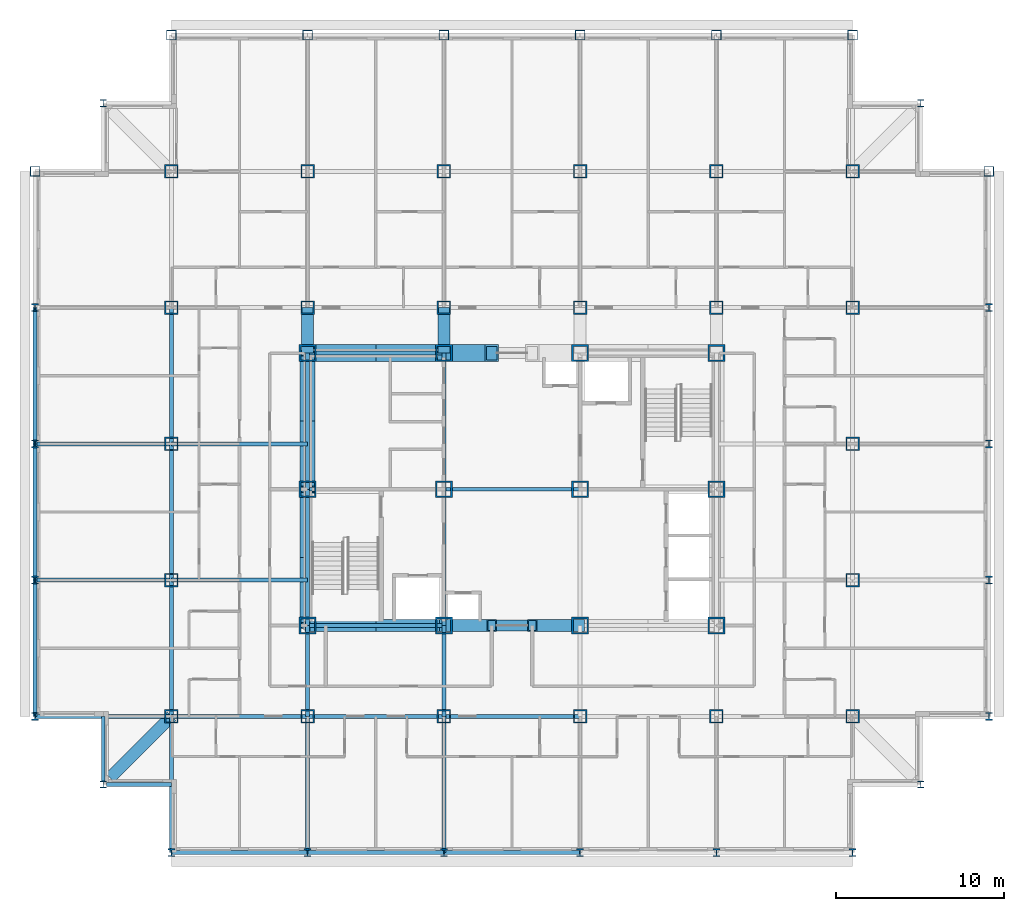
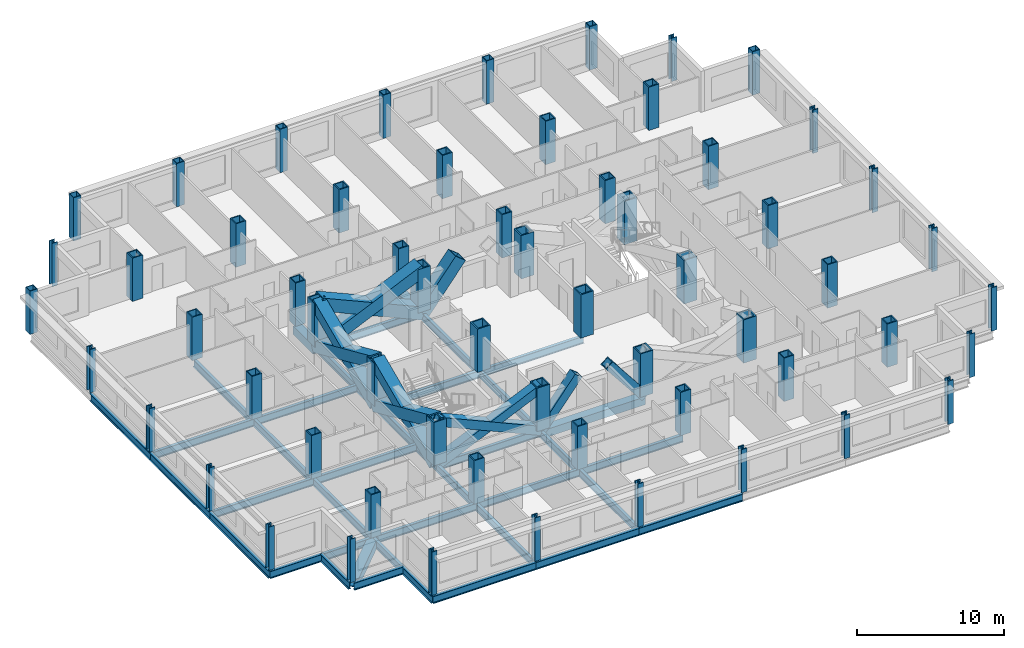
# One storey, part 1 of 12: 60 columns, 36 beams, 11 members.
"""IFC4 building model written with IfcOpenShell, lengths in metres."""

from ifc_helpers import new_model, si_unit, direction, frame, origin, origin_2d, place, context, subcontext, project, spatial, hollow_rectangle, i_section, extrude, material, material_profile, profile_set, type_object, element, save


model = new_model("IFC4")

# Units and contexts
model_context = context("Model", 3, precision=1e-05, world=origin(), true_north=direction((0.0, 1.0)))
body_context = subcontext(model_context, "Body", "Model", "MODEL_VIEW")
ifc_project = project(units=[si_unit("LENGTHUNIT", "METRE"), si_unit("AREAUNIT", "SQUARE_METRE"), si_unit("VOLUMEUNIT", "CUBIC_METRE"), si_unit("PLANEANGLEUNIT", "RADIAN"), si_unit("MASSUNIT", "GRAM", prefix="KILO")], contexts=[model_context])

# Site, building, storey
site_placement = place(None, origin())
site = spatial("IfcSite", under=ifc_project, at=site_placement, CompositionType="ELEMENT")
building_placement = place(site_placement, origin())
building = spatial("IfcBuilding", under=site, at=building_placement, Name="Kopane Lantern Tower", CompositionType="ELEMENT")
storey_placement = place(building_placement, frame((0.0, 0.0, 174.0)))
storey = spatial("IfcBuildingStorey", under=building, at=storey_placement, Name="L44", CompositionType="ELEMENT", Elevation=174.0)

# Columns
ifc_material_1 = material(Name="Steel S355JR", Category="steel")
ifc_material_profile_1 = material_profile(ifc_material_1, hollow_rectangle(XDim=1.0, YDim=1.0, WallThickness=0.10009765625, at=origin_2d()), Name="BOX 1000x1000x100")
ifc_profile_set_1 = profile_set([ifc_material_profile_1], Name="Steel S355JR")
column_type_1 = type_object("IfcColumnType", Name="COLUMN BOX 1000x1000x100", PredefinedType="COLUMN", material=ifc_profile_set_1)
for number, where, z_axis, x_axis, name in (
    (1, (16.199951171875, 24.300048828125, 0.0), (0.0, 0.0, 1.0), (1.0, 0.0, 0.0), "Column 4/E L44"),
    (2, (16.199951171875, 32.39990234375, 0.0), (0.0, 0.0, 1.0), (1.0, 0.0, 0.0), "Column 4/F L44"),
    (3, (16.199951171875, 40.5, 0.0), (0.0, 0.0, 1.0), (1.0, 0.0, 0.0), "Column 4/G L44"),
    (4, (24.300048828125, 24.300048828125, 0.0), (0.0, 0.0, 1.0), (1.0, 0.0, 0.0), "Column 5/E L44"),
    (5, (24.300048828125, 32.39990234375, 0.0), (0.0, 0.0, 1.0), (1.0, 0.0, 0.0), "Column 5/F L44"),
    (6, (24.300048828125, 40.5, 0.0), (0.0, 0.0, 1.0), (1.0, 0.0, 0.0), "Column 5/G L44"),
    (7, (32.39990234375, 24.300048828125, 0.0), (0.0, 0.0, 1.0), (1.0, 0.0, 0.0), "Column 6/E L44"),
    (8, (32.39990234375, 32.39990234375, 0.0), (0.0, 0.0, 1.0), (1.0, 0.0, 0.0), "Column 6/F L44"),
    (9, (32.39990234375, 40.5, 0.0), (0.0, 0.0, 1.0), (1.0, 0.0, 0.0), "Column 6/G L44"),
    (10, (40.5, 24.300048828125, 0.0), (0.0, 0.0, 1.0), (1.0, 0.0, 0.0), "Column 7/E L44"),
    (11, (40.5, 32.39990234375, 0.0), (0.0, 0.0, 1.0), (1.0, 0.0, 0.0), "Column 7/F L44"),
    (12, (40.5, 40.5, 0.0), (0.0, 0.0, 1.0), (1.0, 0.0, 0.0), "Column 7/G L44"),
):
    element("IfcColumn", number, at=place(storey_placement, frame(where, z_axis=z_axis, x_axis=x_axis)), inside=storey, type_object=column_type_1, Name=name, PredefinedType="COLUMN", context=body_context, shape_type="SweptSolid", body=[
        extrude(hollow_rectangle(XDim=1.0, YDim=1.0, WallThickness=0.10009765625, at=origin_2d()), origin(), (0.0, 0.0, 1.0), 3.60009765625),
    ])
ifc_material_2 = material(Name="Steel S355JR", Category="steel")
ifc_material_profile_2 = material_profile(ifc_material_2, hollow_rectangle(XDim=0.60009765625, YDim=0.60009765625, WallThickness=0.050048828125, at=origin_2d()), Name="BOX 600x600x50")
ifc_profile_set_2 = profile_set([ifc_material_profile_2], Name="Steel S355JR")
column_type_2 = type_object("IfcColumnType", Name="COLUMN BOX 600x600x50", PredefinedType="COLUMN", material=ifc_profile_set_2)
for number, where, z_axis, x_axis, name in (
    (13, (0.0, 51.300048828125, 0.0), (0.0, 0.0, 1.0), (1.0, 0.0, 0.0), "Column 2/Q6 L44"),
    (14, (8.10009765625, 59.39990234375, 0.0), (0.0, 0.0, 1.0), (1.0, 0.0, 0.0), "Column 3/Q7 L44"),
    (15, (16.199951171875, 59.39990234375, 0.0), (0.0, 0.0, 1.0), (1.0, 0.0, 0.0), "Column 4/Q7 L44"),
    (16, (24.300048828125, 59.39990234375, 0.0), (0.0, 0.0, 1.0), (1.0, 0.0, 0.0), "Column 5/Q7 L44"),
    (17, (32.39990234375, 59.39990234375, 0.0), (0.0, 0.0, 1.0), (1.0, 0.0, 0.0), "Column 6/Q7 L44"),
    (18, (40.5, 59.39990234375, 0.0), (0.0, 0.0, 1.0), (1.0, 0.0, 0.0), "Column 7/Q7 L44"),
    (19, (48.60009765625, 59.39990234375, 0.0), (0.0, 0.0, 1.0), (1.0, 0.0, 0.0), "Column 8/Q7 L44"),
    (20, (56.699951171875, 51.300048828125, 0.0), (0.0, 0.0, 1.0), (1.0, 0.0, 0.0), "Column 9/Q6 L44"),
):
    element("IfcColumn", number, at=place(storey_placement, frame(where, z_axis=z_axis, x_axis=x_axis)), inside=storey, type_object=column_type_2, Name=name, PredefinedType="COLUMN", context=body_context, shape_type="SweptSolid", body=[
        extrude(hollow_rectangle(XDim=0.60009765625, YDim=0.60009765625, WallThickness=0.050048828125, at=origin_2d()), origin(), (0.0, 0.0, 1.0), 3.60009765625),
    ])
ifc_material_3 = material(Name="Steel S355JR", Category="steel")
ifc_material_profile_3 = material_profile(ifc_material_3, hollow_rectangle(XDim=0.800048828125, YDim=0.800048828125, WallThickness=0.080078125, at=origin_2d()), Name="BOX 800x800x80")
ifc_profile_set_3 = profile_set([ifc_material_profile_3], Name="Steel S355JR")
column_type_3 = type_object("IfcColumnType", Name="COLUMN BOX 800x800x80", PredefinedType="COLUMN", material=ifc_profile_set_3)
for number, where, z_axis, x_axis, name in (
    (21, (8.10009765625, 18.89990234375, 0.0), (0.0, 0.0, 1.0), (1.0, 0.0, 0.0), "Column 3/Q2 L44"),
    (22, (8.10009765625, 27.0, 0.0), (0.0, 0.0, 1.0), (1.0, 0.0, 0.0), "Column 3/Q3 L44"),
    (23, (8.10009765625, 35.10009765625, 0.0), (0.0, 0.0, 1.0), (1.0, 0.0, 0.0), "Column 3/Q4 L44"),
    (24, (8.10009765625, 43.199951171875, 0.0), (0.0, 0.0, 1.0), (1.0, 0.0, 0.0), "Column 3/Q5 L44"),
    (25, (8.10009765625, 51.300048828125, 0.0), (0.0, 0.0, 1.0), (1.0, 0.0, 0.0), "Column 3/Q6 L44"),
    (26, (16.199951171875, 18.89990234375, 0.0), (0.0, 0.0, 1.0), (1.0, 0.0, 0.0), "Column 4/Q2 L44"),
    (27, (16.199951171875, 43.199951171875, 0.0), (0.0, 0.0, 1.0), (1.0, 0.0, 0.0), "Column 4/Q5 L44"),
    (28, (16.199951171875, 51.300048828125, 0.0), (0.0, 0.0, 1.0), (1.0, 0.0, 0.0), "Column 4/Q6 L44"),
    (29, (24.300048828125, 18.89990234375, 0.0), (0.0, 0.0, 1.0), (1.0, 0.0, 0.0), "Column 5/Q2 L44"),
    (30, (24.300048828125, 43.199951171875, 0.0), (0.0, 0.0, 1.0), (1.0, 0.0, 0.0), "Column 5/Q5 L44"),
    (31, (24.300048828125, 51.300048828125, 0.0), (0.0, 0.0, 1.0), (1.0, 0.0, 0.0), "Column 5/Q6 L44"),
    (32, (32.39990234375, 18.89990234375, 0.0), (0.0, 0.0, 1.0), (1.0, 0.0, 0.0), "Column 6/Q2 L44"),
    (33, (32.39990234375, 43.199951171875, 0.0), (0.0, 0.0, 1.0), (1.0, 0.0, 0.0), "Column 6/Q5 L44"),
    (34, (32.39990234375, 51.300048828125, 0.0), (0.0, 0.0, 1.0), (1.0, 0.0, 0.0), "Column 6/Q6 L44"),
    (35, (40.5, 18.89990234375, 0.0), (0.0, 0.0, 1.0), (1.0, 0.0, 0.0), "Column 7/Q2 L44"),
    (36, (40.5, 43.199951171875, 0.0), (0.0, 0.0, 1.0), (1.0, 0.0, 0.0), "Column 7/Q5 L44"),
    (37, (40.5, 51.300048828125, 0.0), (0.0, 0.0, 1.0), (1.0, 0.0, 0.0), "Column 7/Q6 L44"),
    (38, (48.60009765625, 18.89990234375, 0.0), (0.0, 0.0, 1.0), (1.0, 0.0, 0.0), "Column 8/Q2 L44"),
    (39, (48.60009765625, 27.0, 0.0), (0.0, 0.0, 1.0), (1.0, 0.0, 0.0), "Column 8/Q3 L44"),
    (40, (48.60009765625, 35.10009765625, 0.0), (0.0, 0.0, 1.0), (1.0, 0.0, 0.0), "Column 8/Q4 L44"),
    (41, (48.60009765625, 43.199951171875, 0.0), (0.0, 0.0, 1.0), (1.0, 0.0, 0.0), "Column 8/Q5 L44"),
    (42, (48.60009765625, 51.300048828125, 0.0), (0.0, 0.0, 1.0), (1.0, 0.0, 0.0), "Column 8/Q6 L44"),
):
    element("IfcColumn", number, at=place(storey_placement, frame(where, z_axis=z_axis, x_axis=x_axis)), inside=storey, type_object=column_type_3, Name=name, PredefinedType="COLUMN", context=body_context, shape_type="SweptSolid", body=[
        extrude(hollow_rectangle(XDim=0.800048828125, YDim=0.800048828125, WallThickness=0.080078125, at=origin_2d()), origin(), (0.0, 0.0, 1.0), 3.60009765625),
    ])
ifc_material_4 = material(Name="Steel S355JR", Category="steel")
ifc_material_profile_4 = material_profile(ifc_material_4, i_section(OverallWidth=0.406982421875, OverallDepth=0.4189453125, WebThickness=0.030517578125, FlangeThickness=0.04931640625, FilletRadius=0.01513671875, at=origin_2d()), Name="UC 356x406x393")
ifc_profile_set_4 = profile_set([ifc_material_profile_4], Name="Steel S355JR")
column_type_4 = type_object("IfcColumnType", Name="COLUMN UC 356x406x393", PredefinedType="COLUMN", material=ifc_profile_set_4)
for number, where, z_axis, x_axis, name in (
    (43, (4.050048828125, 14.85009765625, 0.0), (0.0, 0.0, 1.0), (1.0, 0.0, 0.0), "Column 4.05/14.85 L44"),
    (44, (4.050048828125, 55.35009765625, 0.0), (0.0, 0.0, 1.0), (1.0, 0.0, 0.0), "Column 4.05/55.35 L44"),
    (45, (52.64990234375, 14.85009765625, 0.0), (0.0, 0.0, 1.0), (1.0, 0.0, 0.0), "Column 52.65/14.85 L44"),
    (46, (52.64990234375, 55.35009765625, 0.0), (0.0, 0.0, 1.0), (1.0, 0.0, 0.0), "Column 52.65/55.35 L44"),
):
    element("IfcColumn", number, at=place(storey_placement, frame(where, z_axis=z_axis, x_axis=x_axis)), inside=storey, type_object=column_type_4, Name=name, PredefinedType="COLUMN", context=body_context, shape_type="SweptSolid", body=[
        extrude(i_section(OverallWidth=0.406982421875, OverallDepth=0.4189453125, WebThickness=0.030517578125, FlangeThickness=0.04931640625, FilletRadius=0.01513671875, at=origin_2d()), origin(), (0.0, 0.0, 1.0), 3.60009765625),
    ])
ifc_material_5 = material(Name="Steel S355JR", Category="steel")
ifc_material_profile_5 = material_profile(ifc_material_5, i_section(OverallWidth=0.424072265625, OverallDepth=0.474609375, WebThickness=0.047607421875, FlangeThickness=0.076904296875, FilletRadius=0.01513671875, at=origin_2d()), Name="UC 356x406x634")
ifc_profile_set_5 = profile_set([ifc_material_profile_5], Name="Steel S355JR")
column_type_5 = type_object("IfcColumnType", Name="COLUMN UC 356x406x634", PredefinedType="COLUMN", material=ifc_profile_set_5)
for number, where, z_axis, x_axis, name in (
    (47, (0.0, 18.89990234375, 0.0), (0.0, 0.0, 1.0), (1.0, 0.0, 0.0), "Column 2/Q2 L44"),
    (48, (0.0, 27.0, 0.0), (0.0, 0.0, 1.0), (1.0, 0.0, 0.0), "Column 2/Q3 L44"),
    (49, (0.0, 35.10009765625, 0.0), (0.0, 0.0, 1.0), (1.0, 0.0, 0.0), "Column 2/Q4 L44"),
    (50, (0.0, 43.199951171875, 0.0), (0.0, 0.0, 1.0), (1.0, 0.0, 0.0), "Column 2/Q5 L44"),
    (51, (8.10009765625, 10.800048828125, 0.0), (0.0, 0.0, 1.0), (1.0, 0.0, 0.0), "Column 3/Q1 L44"),
    (52, (16.199951171875, 10.800048828125, 0.0), (0.0, 0.0, 1.0), (1.0, 0.0, 0.0), "Column 4/Q1 L44"),
    (53, (24.300048828125, 10.800048828125, 0.0), (0.0, 0.0, 1.0), (1.0, 0.0, 0.0), "Column 5/Q1 L44"),
    (54, (32.39990234375, 10.800048828125, 0.0), (0.0, 0.0, 1.0), (1.0, 0.0, 0.0), "Column 6/Q1 L44"),
    (55, (40.5, 10.800048828125, 0.0), (0.0, 0.0, 1.0), (1.0, 0.0, 0.0), "Column 7/Q1 L44"),
    (56, (48.60009765625, 10.800048828125, 0.0), (0.0, 0.0, 1.0), (1.0, 0.0, 0.0), "Column 8/Q1 L44"),
    (57, (56.699951171875, 18.89990234375, 0.0), (0.0, 0.0, 1.0), (1.0, 0.0, 0.0), "Column 9/Q2 L44"),
    (58, (56.699951171875, 27.0, 0.0), (0.0, 0.0, 1.0), (1.0, 0.0, 0.0), "Column 9/Q3 L44"),
    (59, (56.699951171875, 35.10009765625, 0.0), (0.0, 0.0, 1.0), (1.0, 0.0, 0.0), "Column 9/Q4 L44"),
    (60, (56.699951171875, 43.199951171875, 0.0), (0.0, 0.0, 1.0), (1.0, 0.0, 0.0), "Column 9/Q5 L44"),
):
    element("IfcColumn", number, at=place(storey_placement, frame(where, z_axis=z_axis, x_axis=x_axis)), inside=storey, type_object=column_type_5, Name=name, PredefinedType="COLUMN", context=body_context, shape_type="SweptSolid", body=[
        extrude(i_section(OverallWidth=0.424072265625, OverallDepth=0.474609375, WebThickness=0.047607421875, FlangeThickness=0.076904296875, FilletRadius=0.01513671875, at=origin_2d()), origin(), (0.0, 0.0, 1.0), 3.60009765625),
    ])

# Members
ifc_material_6 = material(Name="Steel S355JR", Category="steel")
ifc_material_profile_6 = material_profile(ifc_material_6, hollow_rectangle(XDim=1.0, YDim=1.0, WallThickness=0.10009765625, at=origin_2d()), Name="BOX 1000x1000x100")
ifc_profile_set_6 = profile_set([ifc_material_profile_6], Name="Steel S355JR")
member_type_1 = type_object("IfcMemberType", Name="BRACE BOX 1000x1000x100", PredefinedType="BRACE", material=ifc_profile_set_6)
for number, where, z_axis, x_axis, name in (
    (61, (16.199951171875, 40.5, -0.2099609375), (0.913819498983, 0.0, 0.406120577265), (0.0, 1.0, 0.0), "Core brace L44"),
    (62, (24.300048828125, 40.5, -0.2099609375), (-0.913819498983, 0.0, 0.406120577265), (0.0, -1.0, 0.0), "Core brace L44"),
):
    element("IfcMember", number, at=place(storey_placement, frame(where, z_axis=z_axis, x_axis=x_axis)), inside=storey, type_object=member_type_1, Name=name, PredefinedType="BRACE", context=body_context, shape_type="SweptSolid", body=[
        extrude(hollow_rectangle(XDim=1.0, YDim=1.0, WallThickness=0.10009765625, at=origin_2d()), origin(), (0.0, 0.0, 1.0), 8.864013671875),
    ])
member_placement = place(storey_placement, frame((24.300048828125, 40.5, -0.2099609375), z_axis=(0.620698858423, 0.0, 0.784049059149), x_axis=(0.0, 1.0, 0.0)))
element("IfcMember", 63, at=member_placement, inside=storey, type_object=member_type_1, Name="Core brace L44", PredefinedType="BRACE", context=body_context, shape_type="SweptSolid", body=[
    extrude(hollow_rectangle(XDim=1.0, YDim=1.0, WallThickness=0.10009765625, at=origin_2d()), origin(), (0.0, 0.0, 1.0), 4.59130859375),
])
ifc_material_7 = material(Name="Steel S355JR", Category="steel")
ifc_material_profile_7 = material_profile(ifc_material_7, hollow_rectangle(XDim=0.699951171875, YDim=0.699951171875, WallThickness=0.06005859375, at=origin_2d()), Name="BOX 700x700x60")
ifc_profile_set_7 = profile_set([ifc_material_profile_7], Name="Steel S355JR")
member_type_2 = type_object("IfcMemberType", Name="BRACE BOX 700x700x60", PredefinedType="BRACE", material=ifc_profile_set_7)
for number, where, z_axis, x_axis, name in (
    (64, (16.199951171875, 24.300048828125, -0.2099609375), (0.913819498983, 0.0, 0.406120577265), (0.0, 1.0, 0.0), "Core brace L44"),
    (65, (24.300048828125, 24.300048828125, -0.2099609375), (-0.913819498983, 0.0, 0.406120577265), (0.0, -1.0, 0.0), "Core brace L44"),
):
    element("IfcMember", number, at=place(storey_placement, frame(where, z_axis=z_axis, x_axis=x_axis)), inside=storey, type_object=member_type_2, Name=name, PredefinedType="BRACE", context=body_context, shape_type="SweptSolid", body=[
        extrude(hollow_rectangle(XDim=0.699951171875, YDim=0.699951171875, WallThickness=0.06005859375, at=origin_2d()), origin(), (0.0, 0.0, 1.0), 8.864013671875),
    ])
for number, where, z_axis, x_axis, name in (
    (66, (24.300048828125, 24.300048828125, -0.2099609375), (0.620698858423, 0.0, 0.784049059149), (0.0, 1.0, 0.0), "Core brace L44"),
    (67, (32.39990234375, 24.300048828125, -0.2099609375), (-0.620698858423, 0.0, 0.784049059149), (0.0, -1.0, 0.0), "Core brace L44"),
):
    element("IfcMember", number, at=place(storey_placement, frame(where, z_axis=z_axis, x_axis=x_axis)), inside=storey, type_object=member_type_2, Name=name, PredefinedType="BRACE", context=body_context, shape_type="SweptSolid", body=[
        extrude(hollow_rectangle(XDim=0.699951171875, YDim=0.699951171875, WallThickness=0.06005859375, at=origin_2d()), origin(), (0.0, 0.0, 1.0), 4.59130859375),
    ])
ifc_material_8 = material(Name="Steel S355JR", Category="steel")
ifc_material_profile_8 = material_profile(ifc_material_8, hollow_rectangle(XDim=0.89990234375, YDim=0.89990234375, WallThickness=0.090087890625, at=origin_2d()), Name="BOX 900x900x90")
ifc_profile_set_8 = profile_set([ifc_material_profile_8], Name="Steel S355JR")
member_type_3 = type_object("IfcMemberType", Name="BRACE BOX 900x900x90", PredefinedType="BRACE", material=ifc_profile_set_8)
for number, where, z_axis, x_axis, name in (
    (68, (16.199951171875, 24.300048828125, -0.2099609375), (0.0, 0.913814956047, 0.406130799256), (-1.0, 0.0, 0.0), "Core brace L44"),
    (69, (16.199951171875, 32.39990234375, -0.2099609375), (0.0, -0.913814956047, 0.406130799256), (1.0, 0.0, 0.0), "Core brace L44"),
):
    element("IfcMember", number, at=place(storey_placement, frame(where, z_axis=z_axis, x_axis=x_axis)), inside=storey, type_object=member_type_3, Name=name, PredefinedType="BRACE", context=body_context, shape_type="SweptSolid", body=[
        extrude(hollow_rectangle(XDim=0.89990234375, YDim=0.89990234375, WallThickness=0.090087890625, at=origin_2d()), origin(), (0.0, 0.0, 1.0), 8.86376953125),
    ])
for number, where, z_axis, x_axis, name in (
    (70, (16.199951171875, 32.39990234375, -0.2099609375), (0.0, 0.913819498983, 0.406120577265), (-1.0, 0.0, 0.0), "Core brace L44"),
    (71, (16.199951171875, 40.5, -0.2099609375), (0.0, -0.913819498983, 0.406120577265), (1.0, 0.0, 0.0), "Core brace L44"),
):
    element("IfcMember", number, at=place(storey_placement, frame(where, z_axis=z_axis, x_axis=x_axis)), inside=storey, type_object=member_type_3, Name=name, PredefinedType="BRACE", context=body_context, shape_type="SweptSolid", body=[
        extrude(hollow_rectangle(XDim=0.89990234375, YDim=0.89990234375, WallThickness=0.090087890625, at=origin_2d()), origin(), (0.0, 0.0, 1.0), 8.864013671875),
    ])

# Beams
ifc_material_9 = material(Name="Steel S355JR", Category="steel")
ifc_material_profile_9 = material_profile(ifc_material_9, i_section(OverallWidth=0.22900390625, OverallDepth=0.6123046875, WebThickness=0.011962890625, FlangeThickness=0.01953125, FilletRadius=0.0126953125, at=origin_2d()), Name="UB 610x229x125")
ifc_profile_set_9 = profile_set([ifc_material_profile_9], Name="Steel S355JR")
beam_type_1 = type_object("IfcBeamType", Name="CORE BEAM UB 610x229x125", PredefinedType="BEAM", material=ifc_profile_set_9)
beam_1_placement = place(storey_placement, frame((16.199951171875, 32.39990234375, -0.51611328125), z_axis=(1.0, 0.0, 0.0), x_axis=(0.0, 1.0, 0.0)))
element("IfcBeam", 72, at=beam_1_placement, inside=storey, type_object=beam_type_1, Name="Core Beam L44", PredefinedType="BEAM", context=body_context, shape_type="SweptSolid", body=[
    extrude(i_section(OverallWidth=0.22900390625, OverallDepth=0.6123046875, WebThickness=0.011962890625, FlangeThickness=0.01953125, FilletRadius=0.0126953125, at=origin_2d()), origin(), (0.0, 0.0, 1.0), 8.10009765625),
])
beam_2_placement = place(storey_placement, frame((24.300048828125, 24.300048828125, -0.51611328125), z_axis=(0.0, 1.0, 0.0), x_axis=(-1.0, 0.0, 0.0)))
element("IfcBeam", 73, at=beam_2_placement, inside=storey, type_object=beam_type_1, Name="Core Beam L44", PredefinedType="BEAM", context=body_context, shape_type="SweptSolid", body=[
    extrude(i_section(OverallWidth=0.22900390625, OverallDepth=0.6123046875, WebThickness=0.011962890625, FlangeThickness=0.01953125, FilletRadius=0.0126953125, at=origin_2d()), origin(), (0.0, 0.0, 1.0), 8.099853515625),
])
beam_3_placement = place(storey_placement, frame((24.300048828125, 32.39990234375, -0.51611328125), z_axis=(0.0, 1.0, 0.0), x_axis=(-1.0, 0.0, 0.0)))
element("IfcBeam", 74, at=beam_3_placement, inside=storey, type_object=beam_type_1, Name="Core Beam L44", PredefinedType="BEAM", context=body_context, shape_type="SweptSolid", body=[
    extrude(i_section(OverallWidth=0.22900390625, OverallDepth=0.6123046875, WebThickness=0.011962890625, FlangeThickness=0.01953125, FilletRadius=0.0126953125, at=origin_2d()), origin(), (0.0, 0.0, 1.0), 8.10009765625),
])
beam_4_placement = place(storey_placement, frame((24.300048828125, 32.39990234375, -0.51611328125), z_axis=(1.0, 0.0, 0.0), x_axis=(0.0, 1.0, 0.0)))
element("IfcBeam", 75, at=beam_4_placement, inside=storey, type_object=beam_type_1, Name="Core Beam L44", PredefinedType="BEAM", context=body_context, shape_type="SweptSolid", body=[
    extrude(i_section(OverallWidth=0.22900390625, OverallDepth=0.6123046875, WebThickness=0.011962890625, FlangeThickness=0.01953125, FilletRadius=0.0126953125, at=origin_2d()), origin(), (0.0, 0.0, 1.0), 8.099853515625),
])
ifc_material_10 = material(Name="Steel S355JR", Category="steel")
ifc_material_profile_10 = material_profile(ifc_material_10, hollow_rectangle(XDim=0.699951171875, YDim=0.699951171875, WallThickness=0.06005859375, at=origin_2d()), Name="BOX 700x700x60")
ifc_profile_set_10 = profile_set([ifc_material_profile_10], Name="Steel S355JR")
beam_type_2 = type_object("IfcBeamType", Name="CORNER TIE BEAM BOX 700x700x60", PredefinedType="BEAM", material=ifc_profile_set_10)
beam_5_placement = place(storey_placement, frame((4.447509765625, 15.24755859375, -0.56005859375), z_axis=(0.70713041325, 0.707083148333, 0.0), x_axis=(-0.707083148333, 0.70713041325, 0.0)))
element("IfcBeam", 76, at=beam_5_placement, inside=storey, type_object=beam_type_2, Name="Corner Tie Beam L44", PredefinedType="BEAM", context=body_context, shape_type="SweptSolid", body=[
    extrude(hollow_rectangle(XDim=0.699951171875, YDim=0.699951171875, WallThickness=0.06005859375, at=origin_2d()), origin(), (0.0, 0.0, 1.0), 5.165283203125),
])
ifc_material_11 = material(Name="Steel S355JR", Category="steel")
ifc_material_profile_11 = material_profile(ifc_material_11, i_section(OverallWidth=0.22900390625, OverallDepth=0.6123046875, WebThickness=0.011962890625, FlangeThickness=0.01953125, FilletRadius=0.0126953125, at=origin_2d()), Name="UB 610x229x125")
ifc_profile_set_11 = profile_set([ifc_material_profile_11], Name="Steel S355JR")
beam_type_3 = type_object("IfcBeamType", Name="EDGE BEAM UB 610x229x125", PredefinedType="BEAM", material=ifc_profile_set_11)
beam_6_placement = place(storey_placement, frame((4.050048828125, 15.053466796875, -0.51611328125), z_axis=(0.0, 1.0, 0.0), x_axis=(-1.0, 0.0, 0.0)))
element("IfcBeam", 77, at=beam_6_placement, inside=storey, type_object=beam_type_3, Name="Edge Beam L44", PredefinedType="BEAM", context=body_context, shape_type="SweptSolid", body=[
    extrude(i_section(OverallWidth=0.22900390625, OverallDepth=0.6123046875, WebThickness=0.011962890625, FlangeThickness=0.01953125, FilletRadius=0.0126953125, at=origin_2d()), origin(), (0.0, 0.0, 1.0), 3.846435546875),
])
beam_7_placement = place(storey_placement, frame((4.25341796875, 14.85009765625, -0.51611328125), z_axis=(1.0, 0.0, 0.0), x_axis=(0.0, 1.0, 0.0)))
element("IfcBeam", 78, at=beam_7_placement, inside=storey, type_object=beam_type_3, Name="Edge Beam L44", PredefinedType="BEAM", context=body_context, shape_type="SweptSolid", body=[
    extrude(i_section(OverallWidth=0.22900390625, OverallDepth=0.6123046875, WebThickness=0.011962890625, FlangeThickness=0.01953125, FilletRadius=0.0126953125, at=origin_2d()), origin(), (0.0, 0.0, 1.0), 3.8466796875),
])
ifc_material_12 = material(Name="Steel S355JR", Category="steel")
ifc_material_profile_12 = material_profile(ifc_material_12, hollow_rectangle(XDim=0.699951171875, YDim=0.699951171875, WallThickness=0.06005859375, at=origin_2d()), Name="BOX 700x700x60")
ifc_profile_set_12 = profile_set([ifc_material_profile_12], Name="Steel S355JR")
beam_type_4 = type_object("IfcBeamType", Name="GIRDER BOX 700x700x60", PredefinedType="BEAM", material=ifc_profile_set_12)
for number, where, z_axis, x_axis, name in (
    (79, (16.199951171875, 40.5, -0.56005859375), (0.0, 1.0, 0.0), (-1.0, 0.0, 0.0), "Girder L44"),
    (80, (24.300048828125, 40.5, -0.56005859375), (0.0, 1.0, 0.0), (-1.0, 0.0, 0.0), "Girder L44"),
):
    element("IfcBeam", number, at=place(storey_placement, frame(where, z_axis=z_axis, x_axis=x_axis)), inside=storey, type_object=beam_type_4, Name=name, PredefinedType="BEAM", context=body_context, shape_type="SweptSolid", body=[
        extrude(hollow_rectangle(XDim=0.699951171875, YDim=0.699951171875, WallThickness=0.06005859375, at=origin_2d()), origin(), (0.0, 0.0, 1.0), 2.699951171875),
    ])
ifc_material_13 = material(Name="Steel S355JR", Category="steel")
ifc_material_profile_13 = material_profile(ifc_material_13, i_section(OverallWidth=0.22900390625, OverallDepth=0.6123046875, WebThickness=0.011962890625, FlangeThickness=0.01953125, FilletRadius=0.0126953125, at=origin_2d()), Name="UB 610x229x125")
ifc_profile_set_13 = profile_set([ifc_material_profile_13], Name="Steel S355JR")
beam_type_5 = type_object("IfcBeamType", Name="GIRDER UB 610x229x125", PredefinedType="BEAM", material=ifc_profile_set_13)
for number, where, z_axis, x_axis, name in (
    (81, (0.0, 18.89990234375, -0.51611328125), (0.0, 1.0, 0.0), (-1.0, 0.0, 0.0), "Girder L44"),
    (82, (0.0, 18.89990234375, -0.51611328125), (1.0, 0.0, 0.0), (0.0, 1.0, 0.0), "Girder L44"),
    (83, (0.0, 27.0, -0.51611328125), (0.0, 1.0, 0.0), (-1.0, 0.0, 0.0), "Girder L44"),
    (84, (0.0, 27.0, -0.51611328125), (1.0, 0.0, 0.0), (0.0, 1.0, 0.0), "Girder L44"),
):
    element("IfcBeam", number, at=place(storey_placement, frame(where, z_axis=z_axis, x_axis=x_axis)), inside=storey, type_object=beam_type_5, Name=name, PredefinedType="BEAM", context=body_context, shape_type="SweptSolid", body=[
        extrude(i_section(OverallWidth=0.22900390625, OverallDepth=0.6123046875, WebThickness=0.011962890625, FlangeThickness=0.01953125, FilletRadius=0.0126953125, at=origin_2d()), origin(), (0.0, 0.0, 1.0), 8.10009765625),
    ])
beam_8_placement = place(storey_placement, frame((0.0, 35.10009765625, -0.51611328125), z_axis=(0.0, 1.0, 0.0), x_axis=(-1.0, 0.0, 0.0)))
element("IfcBeam", 85, at=beam_8_placement, inside=storey, type_object=beam_type_5, Name="Girder L44", PredefinedType="BEAM", context=body_context, shape_type="SweptSolid", body=[
    extrude(i_section(OverallWidth=0.22900390625, OverallDepth=0.6123046875, WebThickness=0.011962890625, FlangeThickness=0.01953125, FilletRadius=0.0126953125, at=origin_2d()), origin(), (0.0, 0.0, 1.0), 8.099853515625),
])
beam_9_placement = place(storey_placement, frame((0.0, 35.10009765625, -0.51611328125), z_axis=(1.0, 0.0, 0.0), x_axis=(0.0, 1.0, 0.0)))
element("IfcBeam", 86, at=beam_9_placement, inside=storey, type_object=beam_type_5, Name="Girder L44", PredefinedType="BEAM", context=body_context, shape_type="SweptSolid", body=[
    extrude(i_section(OverallWidth=0.22900390625, OverallDepth=0.6123046875, WebThickness=0.011962890625, FlangeThickness=0.01953125, FilletRadius=0.0126953125, at=origin_2d()), origin(), (0.0, 0.0, 1.0), 8.10009765625),
])
for number, where, z_axis, x_axis, name in (
    (87, (8.10009765625, 10.800048828125, -0.51611328125), (0.0, 1.0, 0.0), (-1.0, 0.0, 0.0), "Girder L44"),
    (88, (8.10009765625, 10.800048828125, -0.51611328125), (1.0, 0.0, 0.0), (0.0, 1.0, 0.0), "Girder L44"),
):
    element("IfcBeam", number, at=place(storey_placement, frame(where, z_axis=z_axis, x_axis=x_axis)), inside=storey, type_object=beam_type_5, Name=name, PredefinedType="BEAM", context=body_context, shape_type="SweptSolid", body=[
        extrude(i_section(OverallWidth=0.22900390625, OverallDepth=0.6123046875, WebThickness=0.011962890625, FlangeThickness=0.01953125, FilletRadius=0.0126953125, at=origin_2d()), origin(), (0.0, 0.0, 1.0), 8.099853515625),
    ])
beam_10_placement = place(storey_placement, frame((8.10009765625, 18.89990234375, -0.51611328125), z_axis=(0.0, 1.0, 0.0), x_axis=(-1.0, 0.0, 0.0)))
element("IfcBeam", 89, at=beam_10_placement, inside=storey, type_object=beam_type_5, Name="Girder L44", PredefinedType="BEAM", context=body_context, shape_type="SweptSolid", body=[
    extrude(i_section(OverallWidth=0.22900390625, OverallDepth=0.6123046875, WebThickness=0.011962890625, FlangeThickness=0.01953125, FilletRadius=0.0126953125, at=origin_2d()), origin(), (0.0, 0.0, 1.0), 8.10009765625),
])
beam_11_placement = place(storey_placement, frame((8.10009765625, 18.89990234375, -0.51611328125), z_axis=(1.0, 0.0, 0.0), x_axis=(0.0, 1.0, 0.0)))
element("IfcBeam", 90, at=beam_11_placement, inside=storey, type_object=beam_type_5, Name="Girder L44", PredefinedType="BEAM", context=body_context, shape_type="SweptSolid", body=[
    extrude(i_section(OverallWidth=0.22900390625, OverallDepth=0.6123046875, WebThickness=0.011962890625, FlangeThickness=0.01953125, FilletRadius=0.0126953125, at=origin_2d()), origin(), (0.0, 0.0, 1.0), 8.099853515625),
])
beam_12_placement = place(storey_placement, frame((8.10009765625, 27.0, -0.51611328125), z_axis=(0.0, 1.0, 0.0), x_axis=(-1.0, 0.0, 0.0)))
element("IfcBeam", 91, at=beam_12_placement, inside=storey, type_object=beam_type_5, Name="Girder L44", PredefinedType="BEAM", context=body_context, shape_type="SweptSolid", body=[
    extrude(i_section(OverallWidth=0.22900390625, OverallDepth=0.6123046875, WebThickness=0.011962890625, FlangeThickness=0.01953125, FilletRadius=0.0126953125, at=origin_2d()), origin(), (0.0, 0.0, 1.0), 8.10009765625),
])
for number, where, z_axis, x_axis, name in (
    (92, (8.10009765625, 27.0, -0.51611328125), (1.0, 0.0, 0.0), (0.0, 1.0, 0.0), "Girder L44"),
    (93, (8.10009765625, 35.10009765625, -0.51611328125), (0.0, 1.0, 0.0), (-1.0, 0.0, 0.0), "Girder L44"),
    (94, (8.10009765625, 35.10009765625, -0.51611328125), (1.0, 0.0, 0.0), (0.0, 1.0, 0.0), "Girder L44"),
    (95, (16.199951171875, 10.800048828125, -0.51611328125), (0.0, 1.0, 0.0), (-1.0, 0.0, 0.0), "Girder L44"),
):
    element("IfcBeam", number, at=place(storey_placement, frame(where, z_axis=z_axis, x_axis=x_axis)), inside=storey, type_object=beam_type_5, Name=name, PredefinedType="BEAM", context=body_context, shape_type="SweptSolid", body=[
        extrude(i_section(OverallWidth=0.22900390625, OverallDepth=0.6123046875, WebThickness=0.011962890625, FlangeThickness=0.01953125, FilletRadius=0.0126953125, at=origin_2d()), origin(), (0.0, 0.0, 1.0), 8.099853515625),
    ])
beam_13_placement = place(storey_placement, frame((16.199951171875, 10.800048828125, -0.51611328125), z_axis=(1.0, 0.0, 0.0), x_axis=(0.0, 1.0, 0.0)))
element("IfcBeam", 96, at=beam_13_placement, inside=storey, type_object=beam_type_5, Name="Girder L44", PredefinedType="BEAM", context=body_context, shape_type="SweptSolid", body=[
    extrude(i_section(OverallWidth=0.22900390625, OverallDepth=0.6123046875, WebThickness=0.011962890625, FlangeThickness=0.01953125, FilletRadius=0.0126953125, at=origin_2d()), origin(), (0.0, 0.0, 1.0), 8.10009765625),
])
beam_14_placement = place(storey_placement, frame((16.199951171875, 18.89990234375, -0.51611328125), z_axis=(0.0, 1.0, 0.0), x_axis=(-1.0, 0.0, 0.0)))
element("IfcBeam", 97, at=beam_14_placement, inside=storey, type_object=beam_type_5, Name="Girder L44", PredefinedType="BEAM", context=body_context, shape_type="SweptSolid", body=[
    extrude(i_section(OverallWidth=0.22900390625, OverallDepth=0.6123046875, WebThickness=0.011962890625, FlangeThickness=0.01953125, FilletRadius=0.0126953125, at=origin_2d()), origin(), (0.0, 0.0, 1.0), 5.400146484375),
])
beam_15_placement = place(storey_placement, frame((16.199951171875, 18.89990234375, -0.51611328125), z_axis=(1.0, 0.0, 0.0), x_axis=(0.0, 1.0, 0.0)))
element("IfcBeam", 98, at=beam_15_placement, inside=storey, type_object=beam_type_5, Name="Girder L44", PredefinedType="BEAM", context=body_context, shape_type="SweptSolid", body=[
    extrude(i_section(OverallWidth=0.22900390625, OverallDepth=0.6123046875, WebThickness=0.011962890625, FlangeThickness=0.01953125, FilletRadius=0.0126953125, at=origin_2d()), origin(), (0.0, 0.0, 1.0), 8.10009765625),
])
beam_16_placement = place(storey_placement, frame((16.199951171875, 24.300048828125, -0.51611328125), z_axis=(0.0, 1.0, 0.0), x_axis=(-1.0, 0.0, 0.0)))
element("IfcBeam", 99, at=beam_16_placement, inside=storey, type_object=beam_type_5, Name="Girder L44", PredefinedType="BEAM", context=body_context, shape_type="SweptSolid", body=[
    extrude(i_section(OverallWidth=0.22900390625, OverallDepth=0.6123046875, WebThickness=0.011962890625, FlangeThickness=0.01953125, FilletRadius=0.0126953125, at=origin_2d()), origin(), (0.0, 0.0, 1.0), 8.099853515625),
])
for number, where, z_axis, x_axis, name in (
    (100, (16.199951171875, 24.300048828125, -0.51611328125), (1.0, 0.0, 0.0), (0.0, 1.0, 0.0), "Girder L44"),
    (101, (16.199951171875, 32.39990234375, -0.51611328125), (0.0, 1.0, 0.0), (-1.0, 0.0, 0.0), "Girder L44"),
    (102, (16.199951171875, 40.5, -0.51611328125), (1.0, 0.0, 0.0), (0.0, 1.0, 0.0), "Girder L44"),
):
    element("IfcBeam", number, at=place(storey_placement, frame(where, z_axis=z_axis, x_axis=x_axis)), inside=storey, type_object=beam_type_5, Name=name, PredefinedType="BEAM", context=body_context, shape_type="SweptSolid", body=[
        extrude(i_section(OverallWidth=0.22900390625, OverallDepth=0.6123046875, WebThickness=0.011962890625, FlangeThickness=0.01953125, FilletRadius=0.0126953125, at=origin_2d()), origin(), (0.0, 0.0, 1.0), 8.10009765625),
    ])
for number, where, z_axis, x_axis, name in (
    (103, (24.300048828125, 10.800048828125, -0.51611328125), (0.0, 1.0, 0.0), (-1.0, 0.0, 0.0), "Girder L44"),
    (104, (24.300048828125, 10.800048828125, -0.51611328125), (1.0, 0.0, 0.0), (0.0, 1.0, 0.0), "Girder L44"),
):
    element("IfcBeam", number, at=place(storey_placement, frame(where, z_axis=z_axis, x_axis=x_axis)), inside=storey, type_object=beam_type_5, Name=name, PredefinedType="BEAM", context=body_context, shape_type="SweptSolid", body=[
        extrude(i_section(OverallWidth=0.22900390625, OverallDepth=0.6123046875, WebThickness=0.011962890625, FlangeThickness=0.01953125, FilletRadius=0.0126953125, at=origin_2d()), origin(), (0.0, 0.0, 1.0), 8.099853515625),
    ])
beam_17_placement = place(storey_placement, frame((24.300048828125, 18.89990234375, -0.51611328125), z_axis=(0.0, 1.0, 0.0), x_axis=(-1.0, 0.0, 0.0)))
element("IfcBeam", 105, at=beam_17_placement, inside=storey, type_object=beam_type_5, Name="Girder L44", PredefinedType="BEAM", context=body_context, shape_type="SweptSolid", body=[
    extrude(i_section(OverallWidth=0.22900390625, OverallDepth=0.6123046875, WebThickness=0.011962890625, FlangeThickness=0.01953125, FilletRadius=0.0126953125, at=origin_2d()), origin(), (0.0, 0.0, 1.0), 5.400146484375),
])
beam_18_placement = place(storey_placement, frame((24.300048828125, 18.89990234375, -0.51611328125), z_axis=(1.0, 0.0, 0.0), x_axis=(0.0, 1.0, 0.0)))
element("IfcBeam", 106, at=beam_18_placement, inside=storey, type_object=beam_type_5, Name="Girder L44", PredefinedType="BEAM", context=body_context, shape_type="SweptSolid", body=[
    extrude(i_section(OverallWidth=0.22900390625, OverallDepth=0.6123046875, WebThickness=0.011962890625, FlangeThickness=0.01953125, FilletRadius=0.0126953125, at=origin_2d()), origin(), (0.0, 0.0, 1.0), 8.099853515625),
])
ifc_material_14 = material(Name="Steel S355JR", Category="steel")
ifc_material_profile_14 = material_profile(ifc_material_14, hollow_rectangle(XDim=0.64990234375, YDim=0.64990234375, WallThickness=0.070068359375, at=origin_2d()), Name="BOX 650x650x70")
ifc_profile_set_14 = profile_set([ifc_material_profile_14], Name="Steel S355JR")
beam_type_6 = type_object("IfcBeamType", Name="LINK BEAM BOX 650x650x70", PredefinedType="BEAM", material=ifc_profile_set_14)
beam_19_placement = place(storey_placement, frame((24.300048828125, 24.300048828125, -0.534912109375), z_axis=(1.0, 0.0, 0.0), x_axis=(0.0, 1.0, 0.0)))
element("IfcBeam", 107, at=beam_19_placement, inside=storey, type_object=beam_type_6, Name="Link Beam L44", PredefinedType="BEAM", context=body_context, shape_type="SweptSolid", body=[
    extrude(hollow_rectangle(XDim=0.64990234375, YDim=0.64990234375, WallThickness=0.070068359375, at=origin_2d()), origin(), (0.0, 0.0, 1.0), 8.099853515625),
])

save(model, "model.ifc")
